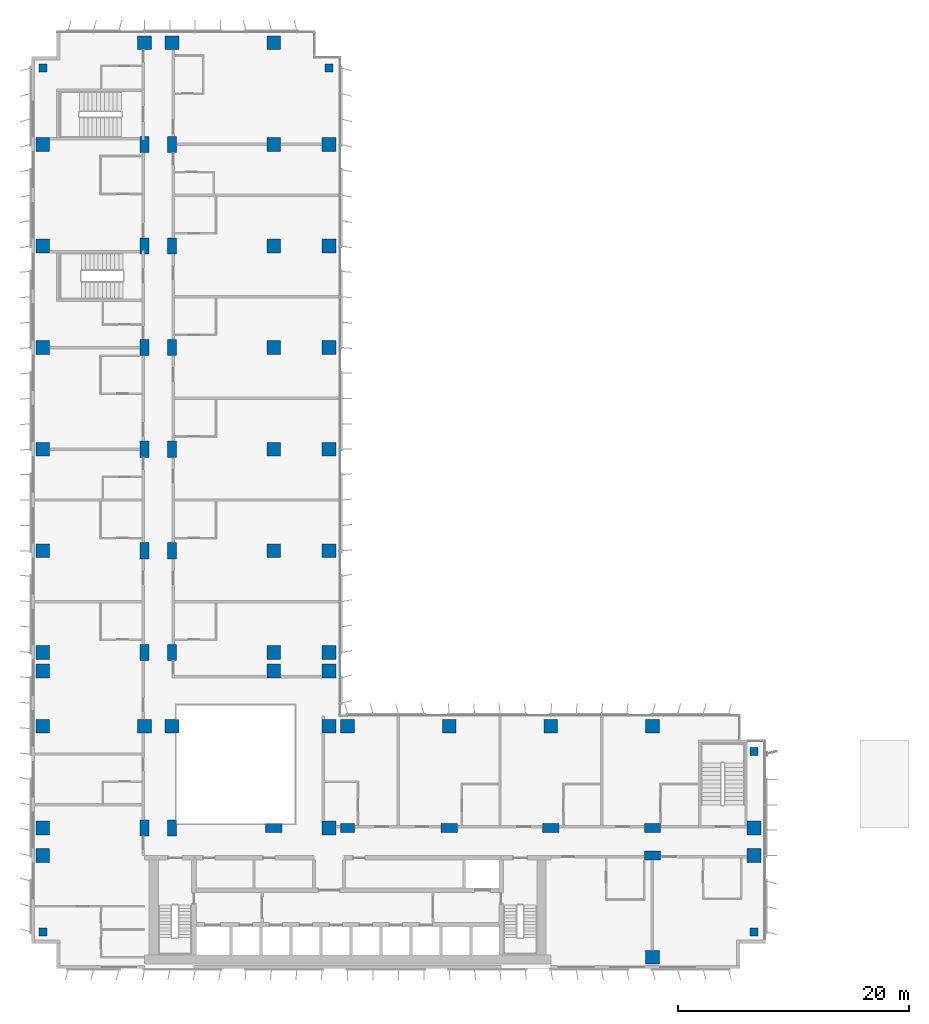
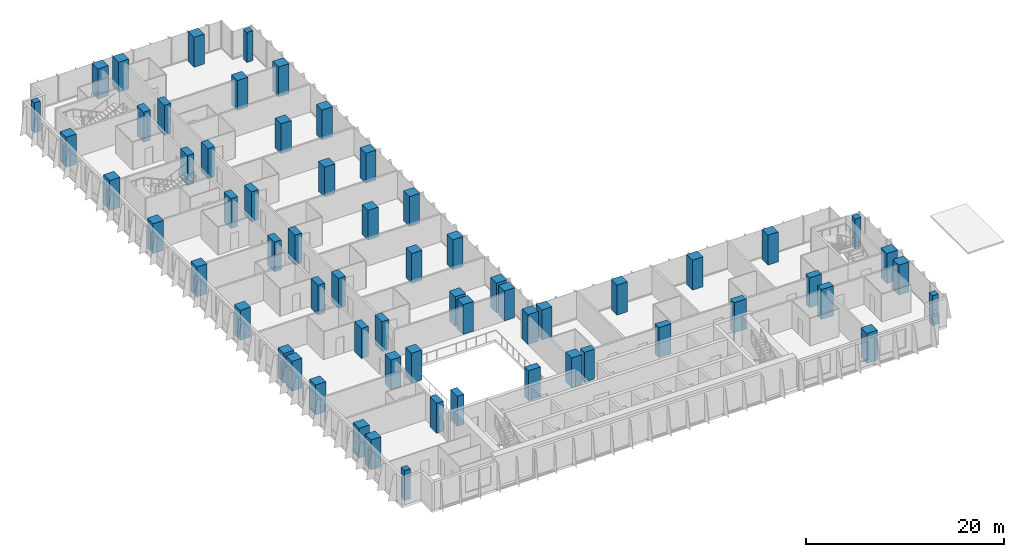
# One storey, part 1 of 22: 63 columns.
"""IFC4 building model written with IfcOpenShell, lengths in metres."""

from ifc_helpers import new_model, si_unit, direction, frame, origin, origin_2d, place, context, subcontext, project, spatial, rectangle, extrude, material, material_profile, profile_set, type_object, element, save


model = new_model("IFC4")

# Units and contexts
model_context = context("Model", 3, precision=1e-05, world=origin(), true_north=direction((0.0, 1.0)))
body_context = subcontext(model_context, "Body", "Model", "MODEL_VIEW")
ifc_project = project(units=[si_unit("LENGTHUNIT", "METRE"), si_unit("AREAUNIT", "SQUARE_METRE"), si_unit("VOLUMEUNIT", "CUBIC_METRE"), si_unit("PLANEANGLEUNIT", "RADIAN"), si_unit("MASSUNIT", "GRAM", prefix="KILO")], contexts=[model_context])

# Site, building, storey
site_placement = place(None, origin())
site = spatial("IfcSite", under=ifc_project, at=site_placement, CompositionType="ELEMENT")
building_placement = place(site_placement, origin())
building = spatial("IfcBuilding", under=site, at=building_placement, Name="Kemantara Hotel Tower", CompositionType="ELEMENT")
storey_placement = place(building_placement, frame((0.0, 0.0, 87.10009765625)))
storey = spatial("IfcBuildingStorey", under=building, at=storey_placement, Name="L20", CompositionType="ELEMENT", Elevation=87.10009765625)

# Columns
ifc_material = material(Name="Concrete fc 70 MPa", Category="concrete")
ifc_material_profile_1 = material_profile(ifc_material, rectangle(XDim=1.199951171875, YDim=1.199951171875, at=origin_2d()), Name="RC 1200X1200")
ifc_profile_set_1 = profile_set([ifc_material_profile_1], Name="Concrete fc 70 MPa")
column_type_1 = type_object("IfcColumnType", Name="RC COLUMN 1200X1200 FC70", PredefinedType="COLUMN", material=ifc_profile_set_1)
for number, where, z_axis, x_axis, name in (
    (1, (1.0, 9.800048828125, 0.0), (0.0, 0.0, 1.0), (1.0, 0.0, 0.0), "COLUMN 1/B L20"),
    (2, (1.0, 12.199951171875, 0.0), (0.0, 0.0, 1.0), (1.0, 0.0, 0.0), "COLUMN 1/BA L20"),
    (3, (1.0, 21.0, 0.0), (0.0, 0.0, 1.0), (1.0, 0.0, 0.0), "COLUMN 1/C L20"),
    (4, (1.0, 25.800048828125, 0.0), (0.0, 0.0, 1.0), (1.0, 0.0, 0.0), "COLUMN 1/CA L20"),
    (5, (1.0, 27.39990234375, 0.0), (0.0, 0.0, 1.0), (1.0, 0.0, 0.0), "COLUMN 1/D L20"),
    (6, (1.0, 36.199951171875, 0.0), (0.0, 0.0, 1.0), (1.0, 0.0, 0.0), "COLUMN 1/E L20"),
    (7, (1.0, 45.0, 0.0), (0.0, 0.0, 1.0), (1.0, 0.0, 0.0), "COLUMN 1/F L20"),
    (8, (1.0, 53.800048828125, 0.0), (0.0, 0.0, 1.0), (1.0, 0.0, 0.0), "COLUMN 1/G L20"),
    (9, (1.0, 62.60009765625, 0.0), (0.0, 0.0, 1.0), (1.0, 0.0, 0.0), "COLUMN 1/H L20"),
    (10, (1.0, 71.39990234375, 0.0), (0.0, 0.0, 1.0), (1.0, 0.0, 0.0), "COLUMN 1/J L20"),
    (11, (9.800048828125, 21.0, 0.0), (0.0, 0.0, 1.0), (1.0, 0.0, 0.0), "COLUMN 2/C L20"),
    (12, (9.800048828125, 80.199951171875, 0.0), (0.0, 0.0, 1.0), (1.0, 0.0, 0.0), "COLUMN 2/K L20"),
    (13, (12.199951171875, 21.0, 0.0), (0.0, 0.0, 1.0), (1.0, 0.0, 0.0), "COLUMN 2A/C L20"),
    (14, (12.199951171875, 80.199951171875, 0.0), (0.0, 0.0, 1.0), (1.0, 0.0, 0.0), "COLUMN 2A/K L20"),
    (15, (21.0, 25.800048828125, 0.0), (0.0, 0.0, 1.0), (1.0, 0.0, 0.0), "COLUMN 3/CA L20"),
    (16, (21.0, 27.39990234375, 0.0), (0.0, 0.0, 1.0), (1.0, 0.0, 0.0), "COLUMN 3/D L20"),
    (17, (21.0, 36.199951171875, 0.0), (0.0, 0.0, 1.0), (1.0, 0.0, 0.0), "COLUMN 3/E L20"),
    (18, (21.0, 45.0, 0.0), (0.0, 0.0, 1.0), (1.0, 0.0, 0.0), "COLUMN 3/F L20"),
    (19, (21.0, 53.800048828125, 0.0), (0.0, 0.0, 1.0), (1.0, 0.0, 0.0), "COLUMN 3/G L20"),
    (20, (21.0, 62.60009765625, 0.0), (0.0, 0.0, 1.0), (1.0, 0.0, 0.0), "COLUMN 3/H L20"),
    (21, (21.0, 71.39990234375, 0.0), (0.0, 0.0, 1.0), (1.0, 0.0, 0.0), "COLUMN 3/J L20"),
    (22, (21.0, 80.199951171875, 0.0), (0.0, 0.0, 1.0), (1.0, 0.0, 0.0), "COLUMN 3/K L20"),
    (23, (25.800048828125, 12.199951171875, 0.0), (0.0, 0.0, 1.0), (1.0, 0.0, 0.0), "COLUMN 3A/BA L20"),
    (24, (25.800048828125, 21.0, 0.0), (0.0, 0.0, 1.0), (1.0, 0.0, 0.0), "COLUMN 3A/C L20"),
    (25, (25.800048828125, 25.800048828125, 0.0), (0.0, 0.0, 1.0), (1.0, 0.0, 0.0), "COLUMN 3A/CA L20"),
    (26, (25.800048828125, 27.39990234375, 0.0), (0.0, 0.0, 1.0), (1.0, 0.0, 0.0), "COLUMN 3A/D L20"),
    (27, (25.800048828125, 36.199951171875, 0.0), (0.0, 0.0, 1.0), (1.0, 0.0, 0.0), "COLUMN 3A/E L20"),
    (28, (25.800048828125, 45.0, 0.0), (0.0, 0.0, 1.0), (1.0, 0.0, 0.0), "COLUMN 3A/F L20"),
    (29, (25.800048828125, 53.800048828125, 0.0), (0.0, 0.0, 1.0), (1.0, 0.0, 0.0), "COLUMN 3A/G L20"),
    (30, (25.800048828125, 62.60009765625, 0.0), (0.0, 0.0, 1.0), (1.0, 0.0, 0.0), "COLUMN 3A/H L20"),
    (31, (25.800048828125, 71.39990234375, 0.0), (0.0, 0.0, 1.0), (1.0, 0.0, 0.0), "COLUMN 3A/J L20"),
    (32, (27.39990234375, 21.0, 0.0), (0.0, 0.0, 1.0), (1.0, 0.0, 0.0), "COLUMN 4/C L20"),
    (33, (36.199951171875, 21.0, 0.0), (0.0, 0.0, 1.0), (1.0, 0.0, 0.0), "COLUMN 5/C L20"),
    (34, (45.0, 21.0, 0.0), (0.0, 0.0, 1.0), (1.0, 0.0, 0.0), "COLUMN 6/C L20"),
    (35, (53.800048828125, 1.0, 0.0), (0.0, 0.0, 1.0), (1.0, 0.0, 0.0), "COLUMN 7/A L20"),
    (36, (53.800048828125, 21.0, 0.0), (0.0, 0.0, 1.0), (1.0, 0.0, 0.0), "COLUMN 7/C L20"),
    (37, (62.60009765625, 9.800048828125, 0.0), (0.0, 0.0, 1.0), (1.0, 0.0, 0.0), "COLUMN 8/B L20"),
    (38, (62.60009765625, 12.199951171875, 0.0), (0.0, 0.0, 1.0), (1.0, 0.0, 0.0), "COLUMN 8/BA L20"),
):
    element("IfcColumn", number, at=place(storey_placement, frame(where, z_axis=z_axis, x_axis=x_axis)), inside=storey, type_object=column_type_1, Name=name, PredefinedType="COLUMN", context=body_context, shape_type="SweptSolid", body=[
        extrude(rectangle(XDim=1.199951171875, YDim=1.199951171875, at=origin_2d()), origin(), (0.0, 0.0, 1.0), 3.699951171875),
    ])
ifc_material_profile_2 = material_profile(ifc_material, rectangle(XDim=1.199951171875, YDim=0.800048828125, at=origin_2d()), Name="RC 1200X800")
ifc_profile_set_2 = profile_set([ifc_material_profile_2], Name="Concrete fc 70 MPa")
column_type_2 = type_object("IfcColumnType", Name="RC COLUMN 1200X800 FC70", PredefinedType="COLUMN", material=ifc_profile_set_2)
column_placement = place(storey_placement, frame((27.39990234375, 12.199951171875, 0.0), z_axis=(0.0, 0.0, 1.0), x_axis=(1.0, 0.0, 0.0)))
element("IfcColumn", 39, at=column_placement, inside=storey, type_object=column_type_2, Name="COLUMN 4/BA L20", PredefinedType="COLUMN", context=body_context, shape_type="SweptSolid", body=[
    extrude(rectangle(XDim=1.199951171875, YDim=0.800048828125, at=origin_2d()), origin(), (0.0, 0.0, 1.0), 3.699951171875),
])
ifc_material_profile_3 = material_profile(ifc_material, rectangle(XDim=1.39990234375, YDim=0.800048828125, at=origin_2d()), Name="RC 1400X800")
ifc_profile_set_3 = profile_set([ifc_material_profile_3], Name="Concrete fc 70 MPa")
column_type_3 = type_object("IfcColumnType", Name="RC COLUMN 1400X800 FC70", PredefinedType="COLUMN", material=ifc_profile_set_3)
for number, where, z_axis, x_axis, name in (
    (40, (9.800048828125, 12.199951171875, 0.0), (0.0, 0.0, 1.0), (0.0, 1.0, 0.0), "COLUMN 2/BA L20"),
    (41, (9.800048828125, 27.39990234375, 0.0), (0.0, 0.0, 1.0), (0.0, 1.0, 0.0), "COLUMN 2/D L20"),
    (42, (9.800048828125, 36.199951171875, 0.0), (0.0, 0.0, 1.0), (0.0, 1.0, 0.0), "COLUMN 2/E L20"),
    (43, (9.800048828125, 45.0, 0.0), (0.0, 0.0, 1.0), (0.0, 1.0, 0.0), "COLUMN 2/F L20"),
    (44, (9.800048828125, 53.800048828125, 0.0), (0.0, 0.0, 1.0), (0.0, 1.0, 0.0), "COLUMN 2/G L20"),
    (45, (9.800048828125, 62.60009765625, 0.0), (0.0, 0.0, 1.0), (0.0, 1.0, 0.0), "COLUMN 2/H L20"),
    (46, (9.800048828125, 71.39990234375, 0.0), (0.0, 0.0, 1.0), (0.0, 1.0, 0.0), "COLUMN 2/J L20"),
    (47, (12.199951171875, 12.199951171875, 0.0), (0.0, 0.0, 1.0), (0.0, 1.0, 0.0), "COLUMN 2A/BA L20"),
    (48, (12.199951171875, 27.39990234375, 0.0), (0.0, 0.0, 1.0), (0.0, 1.0, 0.0), "COLUMN 2A/D L20"),
    (49, (12.199951171875, 36.199951171875, 0.0), (0.0, 0.0, 1.0), (0.0, 1.0, 0.0), "COLUMN 2A/E L20"),
    (50, (12.199951171875, 45.0, 0.0), (0.0, 0.0, 1.0), (0.0, 1.0, 0.0), "COLUMN 2A/F L20"),
    (51, (12.199951171875, 53.800048828125, 0.0), (0.0, 0.0, 1.0), (0.0, 1.0, 0.0), "COLUMN 2A/G L20"),
    (52, (12.199951171875, 62.60009765625, 0.0), (0.0, 0.0, 1.0), (0.0, 1.0, 0.0), "COLUMN 2A/H L20"),
    (53, (12.199951171875, 71.39990234375, 0.0), (0.0, 0.0, 1.0), (0.0, 1.0, 0.0), "COLUMN 2A/J L20"),
    (54, (21.0, 12.199951171875, 0.0), (0.0, 0.0, 1.0), (1.0, 0.0, 0.0), "COLUMN 3/BA L20"),
    (55, (36.199951171875, 12.199951171875, 0.0), (0.0, 0.0, 1.0), (1.0, 0.0, 0.0), "COLUMN 5/BA L20"),
    (56, (45.0, 12.199951171875, 0.0), (0.0, 0.0, 1.0), (1.0, 0.0, 0.0), "COLUMN 6/BA L20"),
    (57, (53.800048828125, 9.800048828125, 0.0), (0.0, 0.0, 1.0), (1.0, 0.0, 0.0), "COLUMN 7/B L20"),
    (58, (53.800048828125, 12.199951171875, 0.0), (0.0, 0.0, 1.0), (1.0, 0.0, 0.0), "COLUMN 7/BA L20"),
):
    element("IfcColumn", number, at=place(storey_placement, frame(where, z_axis=z_axis, x_axis=x_axis)), inside=storey, type_object=column_type_3, Name=name, PredefinedType="COLUMN", context=body_context, shape_type="SweptSolid", body=[
        extrude(rectangle(XDim=1.39990234375, YDim=0.800048828125, at=origin_2d()), origin(), (0.0, 0.0, 1.0), 3.699951171875),
    ])
ifc_material_profile_4 = material_profile(ifc_material, rectangle(XDim=0.699951171875, YDim=0.699951171875, at=origin_2d()), Name="RC 700X700")
ifc_profile_set_4 = profile_set([ifc_material_profile_4], Name="Concrete fc 70 MPa")
column_type_4 = type_object("IfcColumnType", Name="RC COLUMN 700X700 FC70", PredefinedType="COLUMN", material=ifc_profile_set_4)
for number, where, z_axis, x_axis, name in (
    (59, (1.0, 3.199951171875, 0.0), (0.0, 0.0, 1.0), (1.0, 0.0, 0.0), "COLUMN notch corner L20"),
    (60, (1.0, 78.0, 0.0), (0.0, 0.0, 1.0), (1.0, 0.0, 0.0), "COLUMN notch corner L20"),
    (61, (25.800048828125, 78.0, 0.0), (0.0, 0.0, 1.0), (1.0, 0.0, 0.0), "COLUMN notch corner L20"),
    (62, (62.60009765625, 3.199951171875, 0.0), (0.0, 0.0, 1.0), (1.0, 0.0, 0.0), "COLUMN notch corner L20"),
    (63, (62.60009765625, 18.800048828125, 0.0), (0.0, 0.0, 1.0), (1.0, 0.0, 0.0), "COLUMN notch corner L20"),
):
    element("IfcColumn", number, at=place(storey_placement, frame(where, z_axis=z_axis, x_axis=x_axis)), inside=storey, type_object=column_type_4, Name=name, PredefinedType="COLUMN", context=body_context, shape_type="SweptSolid", body=[
        extrude(rectangle(XDim=0.699951171875, YDim=0.699951171875, at=origin_2d()), origin(), (0.0, 0.0, 1.0), 3.699951171875),
    ])

save(model, "model.ifc")
